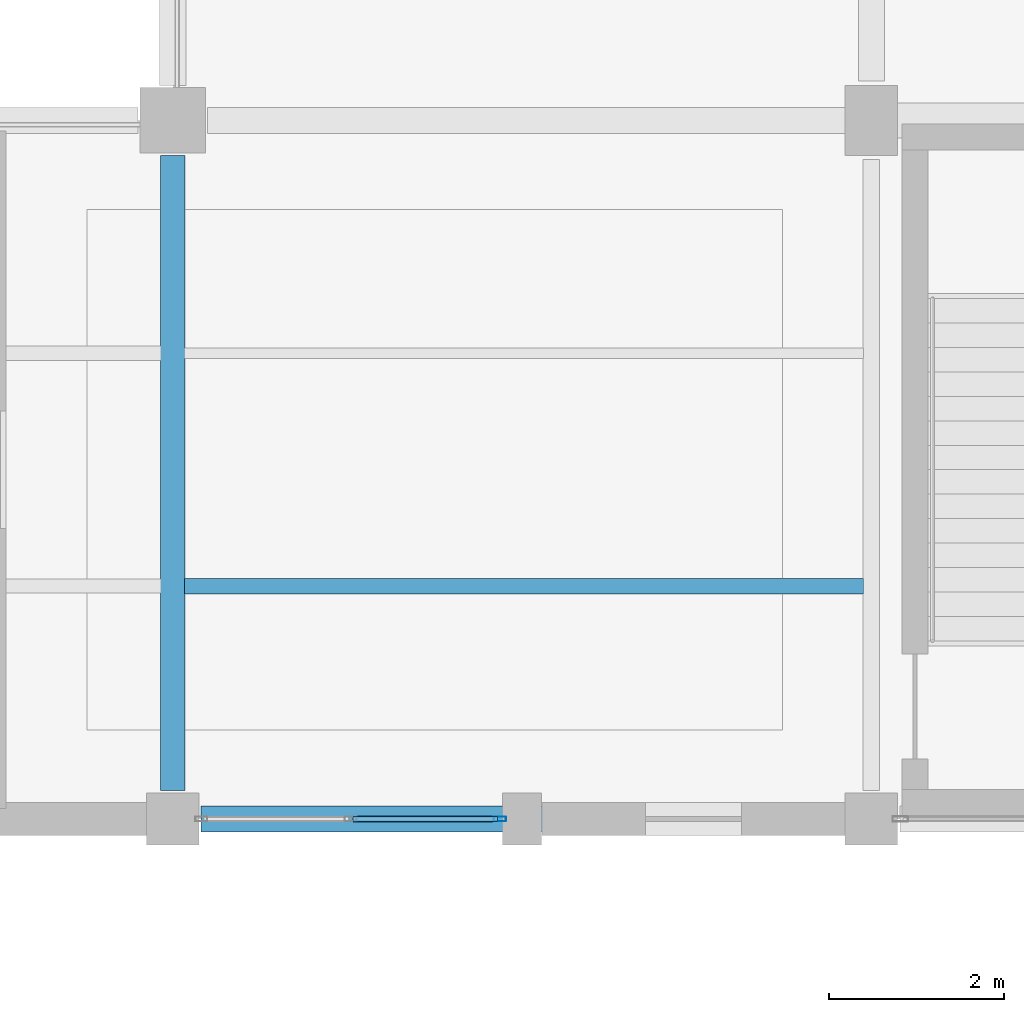
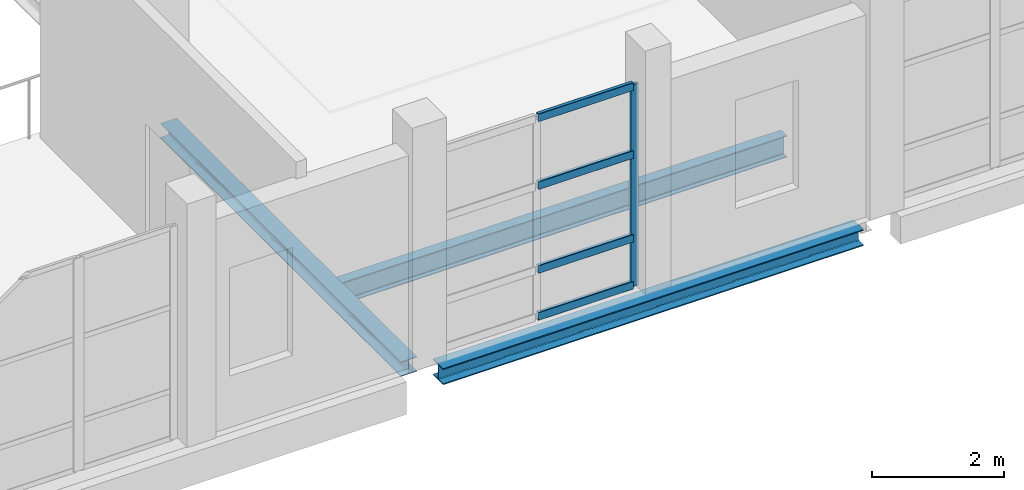
# One storey, part 97 of 183: 5 members, 3 beams, 1 element without a shape of its own.
"""IFC4 building model written with IfcOpenShell, lengths in metres."""

from ifc_helpers import new_model, si_unit, direction, frame, origin, origin_2d, place, context, subcontext, project, spatial, hollow_rectangle, i_section, extrude, material, material_profile, profile_set, type_object, element, aggregate, save


model = new_model("IFC4")

# Units and contexts
model_context = context("Model", 3, precision=1e-05, world=origin(), true_north=direction((0.0, 1.0)))
body_context = subcontext(model_context, "Body", "Model", "MODEL_VIEW")
ifc_project = project(units=[si_unit("LENGTHUNIT", "METRE"), si_unit("AREAUNIT", "SQUARE_METRE"), si_unit("VOLUMEUNIT", "CUBIC_METRE"), si_unit("PLANEANGLEUNIT", "RADIAN"), si_unit("MASSUNIT", "GRAM", prefix="KILO")], contexts=[model_context])

# Site, building, storey
site_placement = place(None, origin())
site = spatial("IfcSite", under=ifc_project, at=site_placement, CompositionType="ELEMENT")
building_placement = place(site_placement, origin())
building = spatial("IfcBuilding", under=site, at=building_placement, Name="Luwemba Playhouse", CompositionType="ELEMENT")
storey_placement = place(building_placement, frame((0.0, 0.0, 4.800048828125)))
storey = spatial("IfcBuildingStorey", under=building, at=storey_placement, Name="L01", CompositionType="ELEMENT", Elevation=4.800048828125)

# Beams
ifc_material_1 = material(Name="Steel S355", Category="steel")
ifc_material_profile_1 = material_profile(ifc_material_1, i_section(OverallWidth=0.280029296875, OverallDepth=0.27001953125, WebThickness=0.008056640625, FlangeThickness=0.012939453125, FilletRadius=0.02392578125, at=origin_2d()))
ifc_profile_set_1 = profile_set([ifc_material_profile_1], Name="Steel S355")
beam_type_1 = type_object("IfcBeamType", Name="BM-SB02", PredefinedType="BEAM", material=ifc_profile_set_1)
beam_1_placement = place(storey_placement, frame((156.0, 36.324951171875, -0.385009765625), z_axis=(0.0, 1.0, 0.0), x_axis=(-1.0, 0.0, 0.0)))
element("IfcBeam", 1, at=beam_1_placement, inside=storey, type_object=beam_type_1, Name="L01 transverse girder 0428", PredefinedType="BEAM", context=body_context, shape_type="SweptSolid", body=[
    extrude(i_section(OverallWidth=0.280029296875, OverallDepth=0.27001953125, WebThickness=0.008056640625, FlangeThickness=0.012939453125, FilletRadius=0.02392578125, at=origin_2d()), origin(), (0.0, 0.0, 1.0), 7.275146484375),
])
ifc_material_profile_2 = material_profile(ifc_material_1, i_section(OverallWidth=0.179931640625, OverallDepth=0.39990234375, WebThickness=0.008544921875, FlangeThickness=0.013427734375, FilletRadius=0.02099609375, at=origin_2d()))
ifc_profile_set_2 = profile_set([ifc_material_profile_2], Name="Steel S355")
beam_type_2 = type_object("IfcBeamType", Name="BM-SJ08", PredefinedType="JOIST", material=ifc_profile_set_2)
beam_2_placement = place(storey_placement, frame((156.135986328125, 38.666748046875, -0.449951171875), z_axis=(1.0, 0.0, 0.0), x_axis=(0.0, 1.0, 0.0)))
element("IfcBeam", 2, at=beam_2_placement, inside=storey, type_object=beam_type_2, Name="L01 composite floor joist 0261", PredefinedType="JOIST", context=body_context, shape_type="SweptSolid", body=[
    extrude(i_section(OverallWidth=0.179931640625, OverallDepth=0.39990234375, WebThickness=0.008544921875, FlangeThickness=0.013427734375, FilletRadius=0.02099609375, at=origin_2d()), origin(), (0.0, 0.0, 1.0), 7.77294921875),
])
ifc_material_profile_3 = material_profile(ifc_material_1, i_section(OverallWidth=0.300048828125, OverallDepth=0.300048828125, WebThickness=0.010986328125, FlangeThickness=0.01904296875, FilletRadius=0.027099609375, at=origin_2d()))
ifc_profile_set_3 = profile_set([ifc_material_profile_3], Name="Steel S355")
beam_type_3 = type_object("IfcBeamType", Name="BM-SSP1", PredefinedType="SPANDREL", material=ifc_profile_set_3)
beam_3_placement = place(storey_placement, frame((156.324951171875, 36.0, -0.400146484375), z_axis=(1.0, 0.0, 0.0), x_axis=(0.0, 1.0, 0.0)))
element("IfcBeam", 3, at=beam_3_placement, inside=storey, type_object=beam_type_3, Name="L01 grid girder 0407", PredefinedType="SPANDREL", context=body_context, shape_type="SweptSolid", body=[
    extrude(i_section(OverallWidth=0.300048828125, OverallDepth=0.300048828125, WebThickness=0.010986328125, FlangeThickness=0.01904296875, FilletRadius=0.027099609375, at=origin_2d()), origin(), (0.0, 0.0, 1.0), 7.35009765625),
])

# Curtain wall, members
ifc_material_2 = material(Name="Solar-control double glazing", Category="glass")
curtain_wall_type = type_object("IfcCurtainWallType", Name="CW-CW76", PredefinedType="USERDEFINED", material=ifc_material_2)
curtain_wall_placement = place(storey_placement, origin())
curtain_wall = element("IfcCurtainWall", 4, at=curtain_wall_placement, inside=storey, type_object=curtain_wall_type, Name="L01 V3 unitised curtain wall 108", ObjectType="UNITISED GLAZING", PredefinedType="USERDEFINED")
ifc_material_3 = material(Name="Aluminium 6063-T6", Category="aluminium")
ifc_material_profile_4 = material_profile(ifc_material_3, hollow_rectangle(XDim=0.054931640625, YDim=0.139892578125, WallThickness=0.00390625, InnerFilletRadius=0.006103515625, OuterFilletRadius=0.010009765625, at=origin_2d()))
ifc_profile_set_4 = profile_set([ifc_material_profile_4], Name="Aluminium 6063-T6")
member_type_1 = type_object("IfcMemberType", Name="CWM-M3", PredefinedType="MULLION", material=ifc_profile_set_4)
member_1_placement = place(storey_placement, frame((159.74755859375, 36.0, 0.0), z_axis=(0.0, 0.0, 1.0), x_axis=(0.0, -1.0, 0.0)))
member_1 = element("IfcMember", 5, at=member_1_placement, type_object=member_type_1, Name="CW76 mullion 1", PredefinedType="MULLION", context=body_context, shape_type="SweptSolid", body=[
    extrude(hollow_rectangle(XDim=0.054931640625, YDim=0.139892578125, WallThickness=0.00390625, InnerFilletRadius=0.006103515625, OuterFilletRadius=0.010009765625, at=origin_2d()), origin(), (0.0, 0.0, 1.0), 3.73486328125),
])
ifc_material_profile_5 = material_profile(ifc_material_3, hollow_rectangle(XDim=0.06494140625, YDim=0.14990234375, WallThickness=0.00390625, InnerFilletRadius=0.006103515625, OuterFilletRadius=0.010009765625, at=origin_2d()))
ifc_profile_set_5 = profile_set([ifc_material_profile_5], Name="Aluminium 6063-T6")
member_type_2 = type_object("IfcMemberType", Name="CWT-T3", PredefinedType="USERDEFINED", material=ifc_profile_set_5)
member_2_placement = place(storey_placement, frame((159.719970703125, 36.0, 0.032470703125), z_axis=(-1.0, 0.0, 0.0), x_axis=(0.0, -1.0, 0.0)))
member_2 = element("IfcMember", 6, at=member_2_placement, type_object=member_type_2, Name="CW76 transom 1.1", ObjectType="TRANSOM", PredefinedType="USERDEFINED", context=body_context, shape_type="SweptSolid", body=[
    extrude(hollow_rectangle(XDim=0.06494140625, YDim=0.14990234375, WallThickness=0.00390625, InnerFilletRadius=0.006103515625, OuterFilletRadius=0.010009765625, at=origin_2d()), origin(), (0.0, 0.0, 1.0), 1.655029296875),
])
member_3_placement = place(storey_placement, frame((159.719970703125, 36.0, 0.89990234375), z_axis=(-1.0, 0.0, 0.0), x_axis=(0.0, -1.0, 0.0)))
member_3 = element("IfcMember", 7, at=member_3_placement, type_object=member_type_2, Name="CW76 transom 1.2", ObjectType="TRANSOM", PredefinedType="USERDEFINED", context=body_context, shape_type="SweptSolid", body=[
    extrude(hollow_rectangle(XDim=0.06494140625, YDim=0.14990234375, WallThickness=0.00390625, InnerFilletRadius=0.006103515625, OuterFilletRadius=0.010009765625, at=origin_2d()), origin(), (0.0, 0.0, 1.0), 1.655029296875),
])
member_4_placement = place(storey_placement, frame((159.719970703125, 36.0, 2.449951171875), z_axis=(-1.0, 0.0, 0.0), x_axis=(0.0, -1.0, 0.0)))
member_4 = element("IfcMember", 8, at=member_4_placement, type_object=member_type_2, Name="CW76 transom 1.3", ObjectType="TRANSOM", PredefinedType="USERDEFINED", context=body_context, shape_type="SweptSolid", body=[
    extrude(hollow_rectangle(XDim=0.06494140625, YDim=0.14990234375, WallThickness=0.00390625, InnerFilletRadius=0.006103515625, OuterFilletRadius=0.010009765625, at=origin_2d()), origin(), (0.0, 0.0, 1.0), 1.655029296875),
])
member_5_placement = place(storey_placement, frame((159.719970703125, 36.0, 3.702392578125), z_axis=(-1.0, 0.0, 0.0), x_axis=(0.0, -1.0, 0.0)))
member_5 = element("IfcMember", 9, at=member_5_placement, type_object=member_type_2, Name="CW76 transom 1.4", ObjectType="TRANSOM", PredefinedType="USERDEFINED", context=body_context, shape_type="SweptSolid", body=[
    extrude(hollow_rectangle(XDim=0.06494140625, YDim=0.14990234375, WallThickness=0.00390625, InnerFilletRadius=0.006103515625, OuterFilletRadius=0.010009765625, at=origin_2d()), origin(), (0.0, 0.0, 1.0), 1.655029296875),
])
aggregate(curtain_wall, [member_1, member_2, member_3, member_4, member_5])

save(model, "model.ifc")
